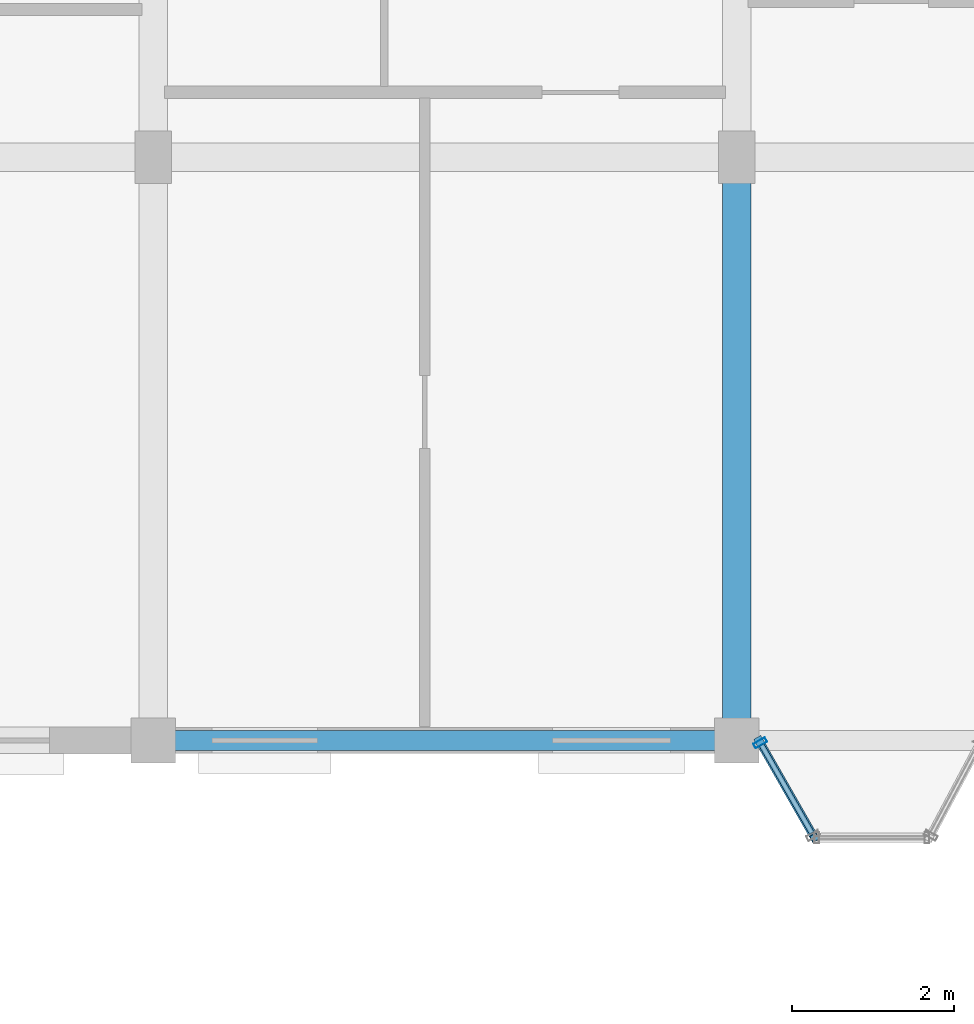
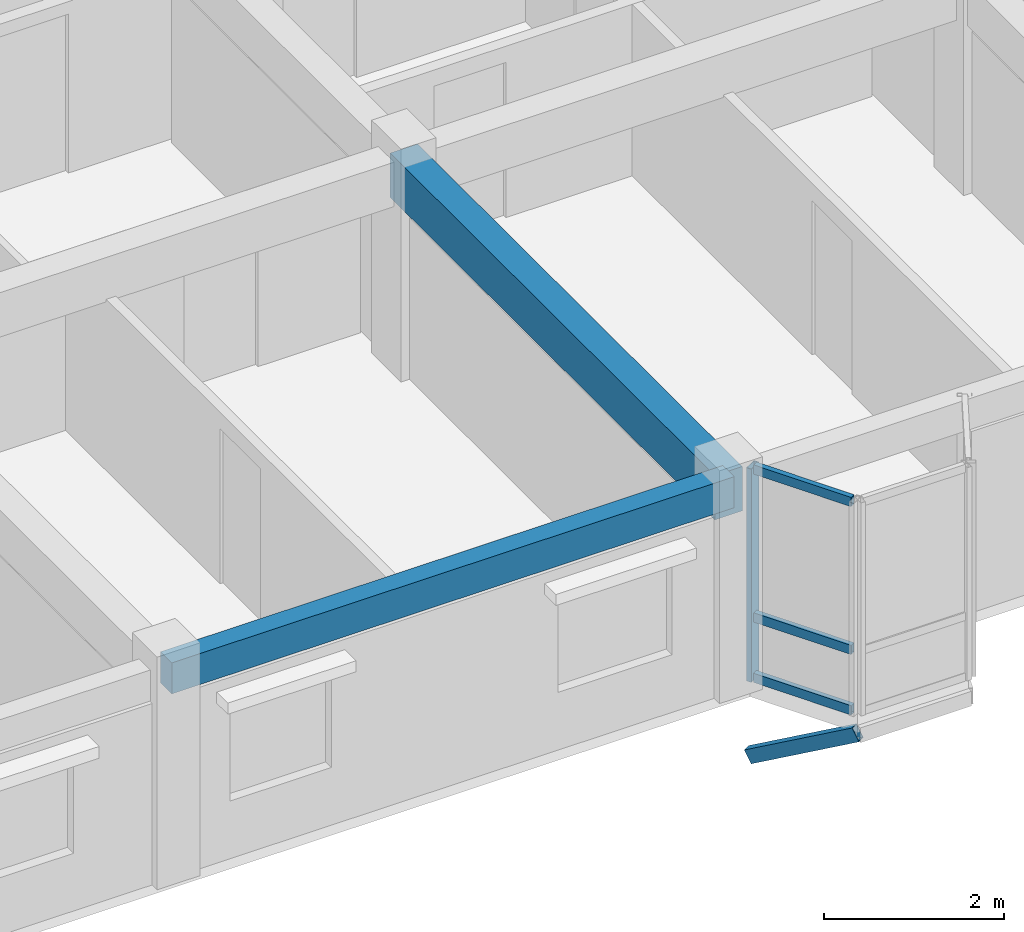
# One storey, part 30 of 75: 5 members, 2 beams, 1 element without a shape of its own.
"""IFC4 building model written with IfcOpenShell, lengths in metres."""

import ifcopenshell
import ifcopenshell.guid

model = None  # the IFC model being written
_history = None  # IfcOwnerHistory: only IFC2X3 demands one
_inside = {}  # id of a spatial element -> (the spatial element, [elements in it])
_under = {}  # id of a project, library or spatial element -> (it, [spatial elements below it])
_declared = {}  # id of a project -> (the project, [libraries it declares])
_typed = {}  # id of a type object -> (the type object, [elements of that type])
_made_of = {}  # id of a material, layer set ... -> (it, [elements and type objects made of it])


def new_model(schema):
    """Start an empty IFC model of exactly this schema.

    Asked for "IFC4X3", IfcOpenShell would pick the latest addendum, in which some entities
    have other attributes; the version numbers below select the first issue.
    IFC2X3 requires an IfcOwnerHistory on every rooted entity: one is made here for all.
    """
    global model, _history
    if schema == "IFC4X3":
        model = ifcopenshell.file(schema_version=(4, 3, 0, 0))
    else:
        model = ifcopenshell.file(schema=schema)
    _inside.clear()
    _under.clear()
    _declared.clear()
    _typed.clear()
    _made_of.clear()
    _history = None
    if model.schema == "IFC2X3":
        org = make("IfcOrganization", Name="unknown")
        user = make(
            "IfcPersonAndOrganization",
            ThePerson=make("IfcPerson", FamilyName="unknown"),
            TheOrganization=org,
        )
        app = make(
            "IfcApplication",
            ApplicationDeveloper=org,
            Version="unknown",
            ApplicationFullName="unknown",
            ApplicationIdentifier="unknown",
        )
        _history = make(
            "IfcOwnerHistory",
            OwningUser=user,
            OwningApplication=app,
            ChangeAction="ADDED",
            CreationDate=0,
        )
    return model


def make(cls, **values):
    """One entity of the class cls with the attributes given. An attribute that is None is left unset."""
    return model.create_entity(
        cls, **{name: value for name, value in values.items() if value is not None}
    )


def rooted(cls, **values):
    """An entity with a GlobalId (a new one), such as an element, a storey or a relation."""
    return make(cls, GlobalId=ifcopenshell.guid.new(), OwnerHistory=_history, **values)


def si_unit(unit_type, name, prefix=None):
    """IfcSIUnit, for example si_unit("LENGTHUNIT", "METRE", prefix="MILLI")."""
    return make("IfcSIUnit", UnitType=unit_type, Prefix=prefix, Name=name)


def assignment(units):
    """IfcUnitAssignment: the units of a project."""
    return None if units is None else make("IfcUnitAssignment", Units=units)


def point(xyz):
    """IfcCartesianPoint."""
    return None if xyz is None else make("IfcCartesianPoint", Coordinates=xyz)


def direction(xyz):
    """IfcDirection."""
    return None if xyz is None else make("IfcDirection", DirectionRatios=xyz)


def frame(location, z_axis=None, x_axis=None):
    """IfcAxis2Placement3D, a coordinate frame: its origin and axes. An axis left out is left unset."""
    return make(
        "IfcAxis2Placement3D",
        Location=point(location),
        Axis=direction(z_axis),
        RefDirection=direction(x_axis),
    )


def frame_2d(location, x_axis=None):
    """IfcAxis2Placement2D, a coordinate frame in the plane: its origin and x axis."""
    return make(
        "IfcAxis2Placement2D", Location=point(location), RefDirection=direction(x_axis)
    )


def origin():
    """The frame at (0, 0, 0) with its axes left unset."""
    return frame((0.0, 0.0, 0.0))


def origin_2d():
    """The frame at (0, 0) in the plane with its x axis left unset."""
    return frame_2d((0.0, 0.0))


def place(relative_to, where):
    """IfcLocalPlacement: puts the frame where relative to a parent placement (None: the world)."""
    return make(
        "IfcLocalPlacement", PlacementRelTo=relative_to, RelativePlacement=where
    )


def context(
    kind, dimensions, precision=None, world=None, true_north=None, identifier=None
):
    """IfcGeometricRepresentationContext, for example the 3D "Model" context."""
    return make(
        "IfcGeometricRepresentationContext",
        ContextIdentifier=identifier,
        ContextType=kind,
        CoordinateSpaceDimension=dimensions,
        Precision=precision,
        WorldCoordinateSystem=world,
        TrueNorth=true_north,
    )


def subcontext(parent, identifier, kind, view, scale=None):
    """IfcGeometricRepresentationSubContext, for example "Body" below "Model"."""
    return make(
        "IfcGeometricRepresentationSubContext",
        ContextIdentifier=identifier,
        ContextType=kind,
        ParentContext=parent,
        TargetScale=scale,
        TargetView=view,
    )


def project(units=None, contexts=None):
    """IfcProject with its units and contexts."""
    return rooted(
        "IfcProject",
        Name="project",
        RepresentationContexts=contexts,
        UnitsInContext=assignment(units),
    )


def spatial(cls, under=None, at=None, **own):
    """A site, building, storey or space (cls), placed at a placement, below another one or the project."""
    s = rooted(cls, ObjectPlacement=at, **own)
    if under is not None:
        _under.setdefault(under.id(), (under, []))[1].append(s)
    return s


def profile(cls, at=None, kind="AREA", **sizes):
    """A parametric profile (cls). Its sizes go by their IFC names, for example OverallWidth=200.0."""
    return make(cls, ProfileType=kind, Position=at, **sizes)


def rectangle(**sizes):
    """IfcRectangleProfileDef."""
    return profile("IfcRectangleProfileDef", **sizes)


def hollow_rectangle(**sizes):
    """IfcRectangleHollowProfileDef."""
    return profile("IfcRectangleHollowProfileDef", **sizes)


def extrude(swept, where, along, depth):
    """IfcExtrudedAreaSolid: the profile swept, set in the frame where, extruded along a direction by depth."""
    return make(
        "IfcExtrudedAreaSolid",
        SweptArea=swept,
        Position=where,
        ExtrudedDirection=direction(along),
        Depth=depth,
    )


def shape(context_of_items, identifier, shape_type, items):
    """IfcShapeRepresentation: the items that make up one representation, for example the "Body"."""
    return make(
        "IfcShapeRepresentation",
        ContextOfItems=context_of_items,
        RepresentationIdentifier=identifier,
        RepresentationType=shape_type,
        Items=items,
    )


def material(Name=None, Category=None):
    """IfcMaterial."""
    return make("IfcMaterial", Name=Name, Category=Category)


def layer(
    of_material, thickness, ventilated=None, Name=None, Category=None, Priority=None
):
    """IfcMaterialLayer: one layer of a wall or slab, of a material (None: an air gap)."""
    return make(
        "IfcMaterialLayer",
        Material=of_material,
        LayerThickness=thickness,
        IsVentilated=ventilated,
        Name=Name,
        Category=Category,
        Priority=Priority,
    )


def layer_set(layers, Name=None):
    """IfcMaterialLayerSet."""
    return make("IfcMaterialLayerSet", MaterialLayers=layers, LayerSetName=Name)


def material_profile(
    of_material, cross_section, Name=None, Category=None, Priority=None
):
    """IfcMaterialProfile: a cross section and its material."""
    return make(
        "IfcMaterialProfile",
        Name=Name,
        Material=of_material,
        Profile=cross_section,
        Priority=Priority,
        Category=Category,
    )


def profile_set(profiles, Name=None, composite=None):
    """IfcMaterialProfileSet."""
    return make(
        "IfcMaterialProfileSet",
        Name=Name,
        MaterialProfiles=profiles,
        CompositeProfile=composite,
    )


def made_of(thing, what):
    """Note that an element or type object is made of a material, layer set ...; save() writes the relation."""
    if what is not None:
        _made_of.setdefault(what.id(), (what, []))[1].append(thing)
    return thing


def type_object(cls, material=None, **own):
    """A type object (cls), such as IfcWallType, which elements share."""
    return made_of(rooted(cls, **own), material)


def element(
    cls,
    number,
    at=None,
    inside=None,
    cuts=None,
    type_object=None,
    material=None,
    context=None,
    identifier="Body",
    shape_type=None,
    held_by="IfcProductDefinitionShape",
    body=None,
    shapes=None,
    **own,
):
    """One element of the class cls, such as IfcWall. Its Tag is "e" and its number.

    at: its placement. inside: the storey or other place that contains it. cuts: it is an
    opening in that element (IfcRelVoidsElement). A single representation is given by context,
    identifier, shape_type and body (its items); several are given by shapes. held_by: the class
    of the entity that holds the representations. save() writes the other relations.
    """
    e = rooted(cls, Tag="e%d" % number, ObjectPlacement=at, **own)
    if body is not None:
        shapes = [shape(context, identifier, shape_type, body)]
    if shapes is not None:
        e.Representation = make(held_by, Representations=shapes)
    if inside is not None:
        _inside.setdefault(inside.id(), (inside, []))[1].append(e)
    if cuts is not None:
        rooted(
            "IfcRelVoidsElement", RelatingBuildingElement=cuts, RelatedOpeningElement=e
        )
    if type_object is not None:
        _typed.setdefault(type_object.id(), (type_object, []))[1].append(e)
    return made_of(e, material)


def aggregate(whole, parts):
    """IfcRelAggregates: a whole, such as a stair, and the parts it consists of."""
    return rooted("IfcRelAggregates", RelatingObject=whole, RelatedObjects=parts)


def save(model, path):
    """Write the relations noted so far, then the file.

    IfcRelAggregates (storeys below a building ...), IfcRelContainedInSpatialStructure (elements
    in a storey), IfcRelDefinesByType, IfcRelAssociatesMaterial and IfcRelDeclares: one each for
    every whole, place, type object, material and project.
    """
    for whole, parts in _under.values():
        aggregate(whole, parts)
    for where, things in _inside.values():
        rooted(
            "IfcRelContainedInSpatialStructure",
            RelatedElements=things,
            RelatingStructure=where,
        )
    for kind, things in _typed.values():
        rooted("IfcRelDefinesByType", RelatedObjects=things, RelatingType=kind)
    for what, things in _made_of.values():
        rooted("IfcRelAssociatesMaterial", RelatedObjects=things, RelatingMaterial=what)
    for by, libraries in _declared.values():
        rooted("IfcRelDeclares", RelatingContext=by, RelatedDefinitions=libraries)
    model.write(path)


model = new_model("IFC4")

# Units and contexts
model_context = context("Model", 3, precision=1e-05, world=origin(), true_north=direction((0.0, 1.0)))
body_context = subcontext(model_context, "Body", "Model", "MODEL_VIEW")
ifc_project = project(units=[si_unit("LENGTHUNIT", "METRE"), si_unit("AREAUNIT", "SQUARE_METRE"), si_unit("VOLUMEUNIT", "CUBIC_METRE"), si_unit("PLANEANGLEUNIT", "RADIAN"), si_unit("MASSUNIT", "GRAM", prefix="KILO"), si_unit("THERMODYNAMICTEMPERATUREUNIT", "KELVIN"), si_unit("POWERUNIT", "WATT")], contexts=[model_context])

# Site, building, storey
site_placement = place(None, origin())
site = spatial("IfcSite", under=ifc_project, at=site_placement, CompositionType="ELEMENT")
building_placement = place(site_placement, origin())
building = spatial("IfcBuilding", under=site, at=building_placement, Name="Tavuni Mirador Residences", CompositionType="ELEMENT")
storey_placement = place(building_placement, frame((0.0, 0.0, 20.25)))
storey = spatial("IfcBuildingStorey", under=building, at=storey_placement, Name="L06", CompositionType="ELEMENT", Elevation=20.25)

# Beams
ifc_material_1 = material(Name="Precast concrete C40/50", Category="concrete")
ifc_material_profile_1 = material_profile(ifc_material_1, rectangle(XDim=0.35009765625, YDim=0.60009765625, at=origin_2d()), Name="PC 350x600", Category="concrete")
ifc_profile_set_1 = profile_set([ifc_material_profile_1], Name="Precast concrete C40/50")
beam_type_1 = type_object("IfcBeamType", Name="BT-B600", PredefinedType="BEAM", material=ifc_profile_set_1)
beam_1_placement = place(storey_placement, frame((32.39990234375, 144.0, 2.5849609375), z_axis=(0.0, 1.0, 0.0), x_axis=(-1.0, 0.0, 0.0)))
element("IfcBeam", 1, at=beam_1_placement, inside=storey, type_object=beam_type_1, Name="BMY-BLK-C-L06-03-00", PredefinedType="BEAM", context=body_context, shape_type="SweptSolid", body=[
    extrude(rectangle(XDim=0.35009765625, YDim=0.60009765625, at=origin_2d()), origin(), (0.0, 0.0, 1.0), 7.199951171875),
])
ifc_material_profile_2 = material_profile(ifc_material_1, rectangle(XDim=0.25, YDim=0.419921875, at=origin_2d()), Name="PC 250x420", Category="concrete")
ifc_profile_set_2 = profile_set([ifc_material_profile_2], Name="Precast concrete C40/50")
beam_type_2 = type_object("IfcBeamType", Name="BT-SP420", PredefinedType="SPANDREL", material=ifc_profile_set_2)
beam_2_placement = place(storey_placement, frame((25.199951171875, 144.0, 2.675048828125), z_axis=(1.0, 0.0, 0.0), x_axis=(0.0, 1.0, 0.0)))
element("IfcBeam", 2, at=beam_2_placement, inside=storey, type_object=beam_type_2, Name="BMX-BLK-C-L06-02-00", PredefinedType="SPANDREL", context=body_context, shape_type="SweptSolid", body=[
    extrude(rectangle(XDim=0.25, YDim=0.419921875, at=origin_2d()), origin(), (0.0, 0.0, 1.0), 7.199951171875),
])

# Curtain wall, members
ifc_material_2 = material(Name="Anodised aluminium", Category="aluminium")
ifc_layer = layer(ifc_material_2, 0.159912109375, Name="Anodised aluminium", Category="aluminium")
ifc_layer_set = layer_set([ifc_layer], Name="Anodised aluminium")
curtain_wall_type = type_object("IfcCurtainWallType", Name="CWT-MIR-D", PredefinedType="NOTDEFINED", material=ifc_layer_set)
curtain_wall_placement = place(storey_placement, origin())
curtain_wall = element("IfcCurtainWall", 3, at=curtain_wall_placement, inside=storey, type_object=curtain_wall_type, Name="CW-MIR-C-S2-L06-M1", PredefinedType="NOTDEFINED")
ifc_material_profile_3 = material_profile(ifc_material_2, hollow_rectangle(XDim=0.06494140625, YDim=0.1650390625, WallThickness=0.00439453125, at=origin_2d()), Name="ALU 65x165x4.5", Category="aluminium")
ifc_profile_set_3 = profile_set([ifc_material_profile_3], Name="Anodised aluminium")
member_type_1 = type_object("IfcMemberType", Name="CWM-165", PredefinedType="MULLION", material=ifc_profile_set_3)
member_1_placement = place(storey_placement, frame((32.691162109375, 143.9716796875, 0.0), z_axis=(0.0, 0.0, 1.0), x_axis=(0.495749192217, -0.868465738194, 0.0)))
member_1 = element("IfcMember", 4, at=member_1_placement, type_object=member_type_1, Name="CW-04 mullion 1", PredefinedType="MULLION", context=body_context, shape_type="SweptSolid", body=[
    extrude(hollow_rectangle(XDim=0.06494140625, YDim=0.1650390625, WallThickness=0.00439453125, at=origin_2d()), origin(), (0.0, 0.0, 1.0), 2.885009765625),
])
ifc_material_profile_4 = material_profile(ifc_material_2, hollow_rectangle(XDim=0.06494140625, YDim=0.125, WallThickness=0.00439453125, at=origin_2d()), Name="ALU 65x125x4.5", Category="aluminium")
ifc_profile_set_4 = profile_set([ifc_material_profile_4], Name="Anodised aluminium")
member_type_2 = type_object("IfcMemberType", Name="CWT-125", PredefinedType="USERDEFINED", material=ifc_profile_set_4)
member_2_placement = place(storey_placement, frame((32.707275390625, 143.943603515625, 0.032470703125), z_axis=(0.495760837306, -0.868459090685, 0.0), x_axis=(0.868459090685, 0.495760837306, 0.0)))
member_2 = element("IfcMember", 5, at=member_2_placement, type_object=member_type_2, Name="CW-04 transom 1.1", ObjectType="TRANSOM", PredefinedType="USERDEFINED", context=body_context, shape_type="SweptSolid", body=[
    extrude(hollow_rectangle(XDim=0.06494140625, YDim=0.125, WallThickness=0.00439453125, at=origin_2d()), origin(), (0.0, 0.0, 1.0), 1.251708984375),
])
member_3_placement = place(storey_placement, frame((32.707275390625, 143.943603515625, 0.85009765625), z_axis=(0.495760837306, -0.868459090685, 0.0), x_axis=(0.868459090685, 0.495760837306, 0.0)))
member_3 = element("IfcMember", 6, at=member_3_placement, type_object=member_type_2, Name="CW-04 transom 1.2", ObjectType="TRANSOM", PredefinedType="USERDEFINED", context=body_context, shape_type="SweptSolid", body=[
    extrude(hollow_rectangle(XDim=0.06494140625, YDim=0.125, WallThickness=0.00439453125, at=origin_2d()), origin(), (0.0, 0.0, 1.0), 1.251708984375),
])
member_4_placement = place(storey_placement, frame((32.707275390625, 143.943603515625, 2.8525390625), z_axis=(0.495760837306, -0.868459090685, 0.0), x_axis=(0.868459090685, 0.495760837306, 0.0)))
member_4 = element("IfcMember", 7, at=member_4_placement, type_object=member_type_2, Name="CW-04 transom 1.3", ObjectType="TRANSOM", PredefinedType="USERDEFINED", context=body_context, shape_type="SweptSolid", body=[
    extrude(hollow_rectangle(XDim=0.06494140625, YDim=0.125, WallThickness=0.00439453125, at=origin_2d()), origin(), (0.0, 0.0, 1.0), 1.251708984375),
])
aggregate(curtain_wall, [member_1, member_2, member_3, member_4])

# Member
ifc_material_3 = material(Name="Structural steel S355", Category="steel")
ifc_material_profile_5 = material_profile(ifc_material_3, hollow_rectangle(XDim=0.10009765625, YDim=0.179931640625, WallThickness=0.008056640625, at=origin_2d()), Name="RHS 180x100x8.0", Category="steel")
ifc_profile_set_5 = profile_set([ifc_material_profile_5], Name="Structural steel S355")
member_type_3 = type_object("IfcMemberType", Name="MT-BR-RHS180", PredefinedType="BRACE", material=ifc_profile_set_5)
member_5_placement = place(storey_placement, frame((32.675048828125, 144.0, -1.050048828125), z_axis=(0.431062666154, -0.755050963701, 0.494047588863), x_axis=(0.868438794398, 0.495796390047, 0.0)))
element("IfcMember", 8, at=member_5_placement, inside=storey, type_object=member_type_3, Name="MBRK-MIR-C-S2-L06-1", PredefinedType="BRACE", context=body_context, shape_type="SweptSolid", body=[
    extrude(hollow_rectangle(XDim=0.10009765625, YDim=0.179931640625, WallThickness=0.008056640625, at=origin_2d()), origin(), (0.0, 0.0, 1.0), 1.589111328125),
])

save(model, "model.ifc")
